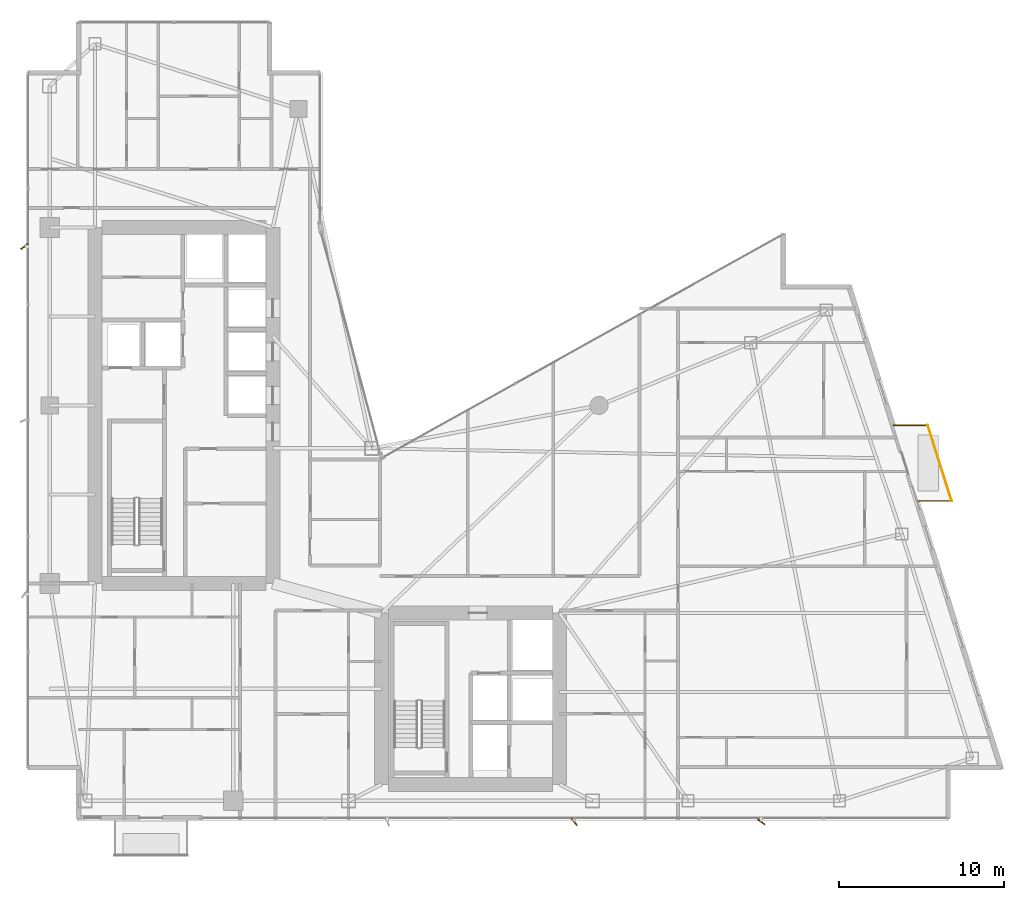
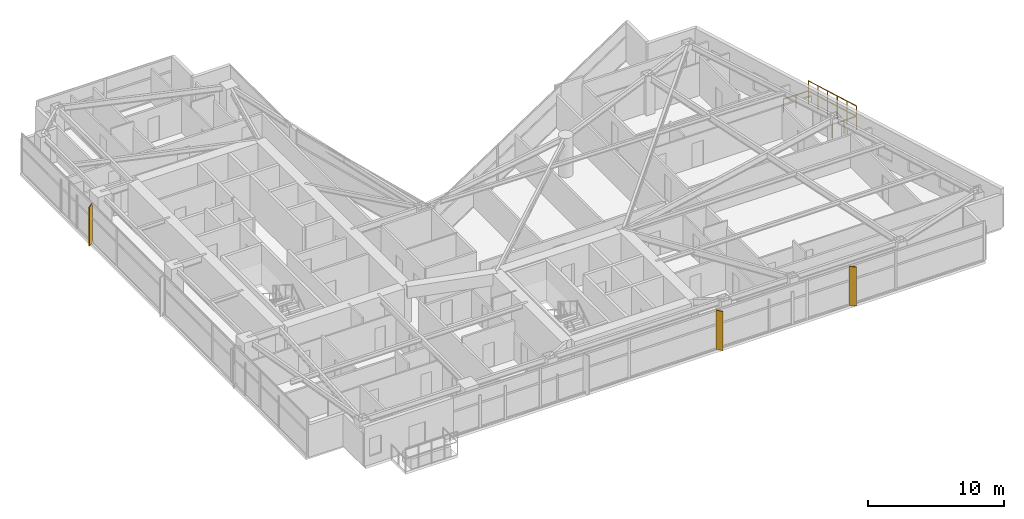
# One storey, part 28 of 28: 3 shading devices, 2 railings.
"""IFC4 building model written with IfcOpenShell, lengths in metres."""

from ifc_helpers import new_model, si_unit, direction, frame, origin, origin_2d, place, context, subcontext, project, spatial, rectangle, circle, extrude, material, type_object, element, save


model = new_model("IFC4")

# Units and contexts
model_context = context("Model", 3, precision=1e-05, world=origin(), true_north=direction((0.0, 1.0)))
body_context = subcontext(model_context, "Body", "Model", "MODEL_VIEW")
ifc_project = project(units=[si_unit("LENGTHUNIT", "METRE"), si_unit("AREAUNIT", "SQUARE_METRE"), si_unit("VOLUMEUNIT", "CUBIC_METRE"), si_unit("PLANEANGLEUNIT", "RADIAN"), si_unit("MASSUNIT", "GRAM", prefix="KILO")], contexts=[model_context])

# Site, building, storey
site_placement = place(None, origin())
site = spatial("IfcSite", under=ifc_project, at=site_placement, CompositionType="ELEMENT")
building_placement = place(site_placement, origin())
building = spatial("IfcBuilding", under=site, at=building_placement, Name="Calvorn Quay Hotel", CompositionType="ELEMENT")
storey_placement = place(building_placement, frame((0.0, 0.0, 182.699951171875)))
storey = spatial("IfcBuildingStorey", under=building, at=storey_placement, Name="L45", CompositionType="ELEMENT", Elevation=182.699951171875)

# Railings
ifc_material_1 = material(Name="Pale Anodised Aluminium and Laminated Glass", Category="aluminium")
railing_type = type_object("IfcRailingType", Name="RLG-BALUSTRADE-1200", PredefinedType="BALUSTRADE", material=ifc_material_1)
railing_1_placement = place(storey_placement, frame((54.10595703125, 21.800048828125, 0.0)))
element("IfcRailing", 1, at=railing_1_placement, inside=storey, type_object=railing_type, Name="Tree Balcony Perimeter Balustrade L45-BALC-E", PredefinedType="BALUSTRADE", context=body_context, shape_type="SweptSolid", body=[
    extrude(circle(Radius=0.02392578125, at=origin_2d()), frame((0.0, 0.0, 1.17578125), z_axis=(1.0, 0.0, 0.0), x_axis=(0.0, 1.0, 0.0)), (0.0, 0.0, 1.0), 2.10009765625),
    extrude(circle(Radius=0.02392578125, at=origin_2d()), frame((2.10009765625, 0.0, 1.17578125), z_axis=(-0.300450487966, 0.953797412599, 0.0), x_axis=(-0.953797412599, -0.300450487966, 0.0)), (0.0, 0.0, 1.0), 4.82275390625),
    extrude(circle(Radius=0.02392578125, at=origin_2d()), frame((0.651123046875, 4.599853515625, 1.17578125), z_axis=(-1.0, 0.0, 0.0), x_axis=(0.0, -1.0, 0.0)), (0.0, 0.0, 1.0), 2.10009765625),
    extrude(circle(Radius=0.02099609375, at=origin_2d()), origin(), (0.0, 0.0, 1.0), 1.15185546875),
    extrude(circle(Radius=0.02099609375, at=origin_2d()), frame((1.050048828125, 0.0, 0.0)), (0.0, 0.0, 1.0), 1.15185546875),
    extrude(circle(Radius=0.02099609375, at=origin_2d()), frame((2.10009765625, 0.0, 0.0)), (0.0, 0.0, 1.0), 1.15185546875),
    extrude(circle(Radius=0.02099609375, at=origin_2d()), frame((1.810302734375, 0.919921875, 0.0)), (0.0, 0.0, 1.0), 1.15185546875),
    extrude(circle(Radius=0.02099609375, at=origin_2d()), frame((1.5205078125, 1.83984375, 0.0)), (0.0, 0.0, 1.0), 1.15185546875),
    extrude(circle(Radius=0.02099609375, at=origin_2d()), frame((1.230712890625, 2.760009765625, 0.0)), (0.0, 0.0, 1.0), 1.15185546875),
    extrude(circle(Radius=0.02099609375, at=origin_2d()), frame((0.94091796875, 3.679931640625, 0.0)), (0.0, 0.0, 1.0), 1.15185546875),
    extrude(circle(Radius=0.02099609375, at=origin_2d()), frame((0.651123046875, 4.599853515625, 0.0)), (0.0, 0.0, 1.0), 1.15185546875),
    extrude(circle(Radius=0.02099609375, at=origin_2d()), frame((-0.39892578125, 4.599853515625, 0.0)), (0.0, 0.0, 1.0), 1.15185546875),
    extrude(circle(Radius=0.02099609375, at=origin_2d()), frame((-1.448974609375, 4.599853515625, 0.0)), (0.0, 0.0, 1.0), 1.15185546875),
])
railing_2_placement = place(storey_placement, frame((56.2060546875, 21.800048828125, 0.900146484375)))
element("IfcRailing", 2, at=railing_2_placement, inside=storey, type_object=railing_type, Name="Planter Kerb High Safety Screen L45-BALC-E", PredefinedType="BALUSTRADE", context=body_context, shape_type="SweptSolid", body=[
    extrude(circle(Radius=0.02392578125, at=origin_2d()), frame((0.0, 0.0, 1.19580078125), z_axis=(-0.300450487966, 0.953797412599, 0.0), x_axis=(-0.953797412599, -0.300450487966, 0.0)), (0.0, 0.0, 1.0), 4.82275390625),
    extrude(circle(Radius=0.02099609375, at=origin_2d()), origin(), (0.0, 0.0, 1.0), 1.171875),
    extrude(circle(Radius=0.02099609375, at=origin_2d()), frame((-0.289794921875, 0.919921875, 0.0)), (0.0, 0.0, 1.0), 1.171875),
    extrude(circle(Radius=0.02099609375, at=origin_2d()), frame((-0.57958984375, 1.83984375, 0.0)), (0.0, 0.0, 1.0), 1.171875),
    extrude(circle(Radius=0.02099609375, at=origin_2d()), frame((-0.869384765625, 2.760009765625, 0.0)), (0.0, 0.0, 1.0), 1.171875),
    extrude(circle(Radius=0.02099609375, at=origin_2d()), frame((-1.1591796875, 3.679931640625, 0.0)), (0.0, 0.0, 1.0), 1.171875),
    extrude(circle(Radius=0.02099609375, at=origin_2d()), frame((-1.448974609375, 4.599853515625, 0.0)), (0.0, 0.0, 1.0), 1.171875),
])

# Shading devices
ifc_material_2 = material(Name="Champagne Bronze Anodised Aluminium 6063-T6", Category="aluminium")
shading_device_type_1 = type_object("IfcShadingDeviceType", Name="SHD-FIN-A2", PredefinedType="USERDEFINED", material=ifc_material_2)
for number, where, z_axis, x_axis, name in (
    (3, (-0.080078125, 37.25, 0.0), (0.0, 0.0, 1.0), (0.788010753607, 0.615661475326, 0.0), "Diagonal Sun-Shading Fin L45-W03"),
    (4, (33.300048828125, 2.320068359375, 0.0), (0.0, 0.0, 1.0), (-0.615661475326, 0.788010753607, 0.0), "Diagonal Sun-Shading Fin L45-S02"),
):
    element("IfcShadingDevice", number, at=place(storey_placement, frame(where, z_axis=z_axis, x_axis=x_axis)), inside=storey, type_object=shading_device_type_1, Name=name, ObjectType="FIN", PredefinedType="USERDEFINED", context=body_context, shape_type="SweptSolid", body=[
        extrude(rectangle(XDim=0.550048828125, YDim=0.080078125, at=origin_2d()), origin(), (0.0, 0.0, 1.0), 3.52001953125),
    ])
ifc_material_3 = material(Name="Champagne Bronze Anodised Aluminium 6063-T6", Category="aluminium")
shading_device_type_2 = type_object("IfcShadingDeviceType", Name="SHD-FIN-A3", PredefinedType="USERDEFINED", material=ifc_material_3)
shading_device_placement = place(storey_placement, frame((44.64990234375, 2.320068359375, 0.0), z_axis=(0.0, 0.0, 1.0), x_axis=(-0.809016994375, 0.587785252292, 0.0)))
element("IfcShadingDevice", 5, at=shading_device_placement, inside=storey, type_object=shading_device_type_2, Name="Diagonal Sun-Shading Fin L45-S03", ObjectType="FIN", PredefinedType="USERDEFINED", context=body_context, shape_type="SweptSolid", body=[
    extrude(rectangle(XDim=0.550048828125, YDim=0.080078125, at=origin_2d()), origin(), (0.0, 0.0, 1.0), 3.52001953125),
])

save(model, "model.ifc")
